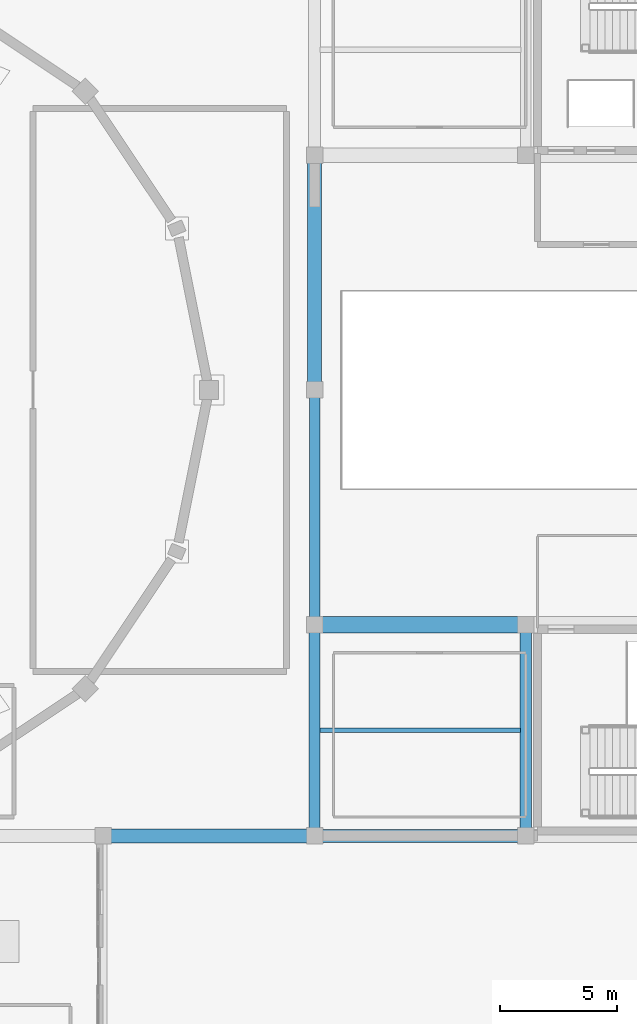
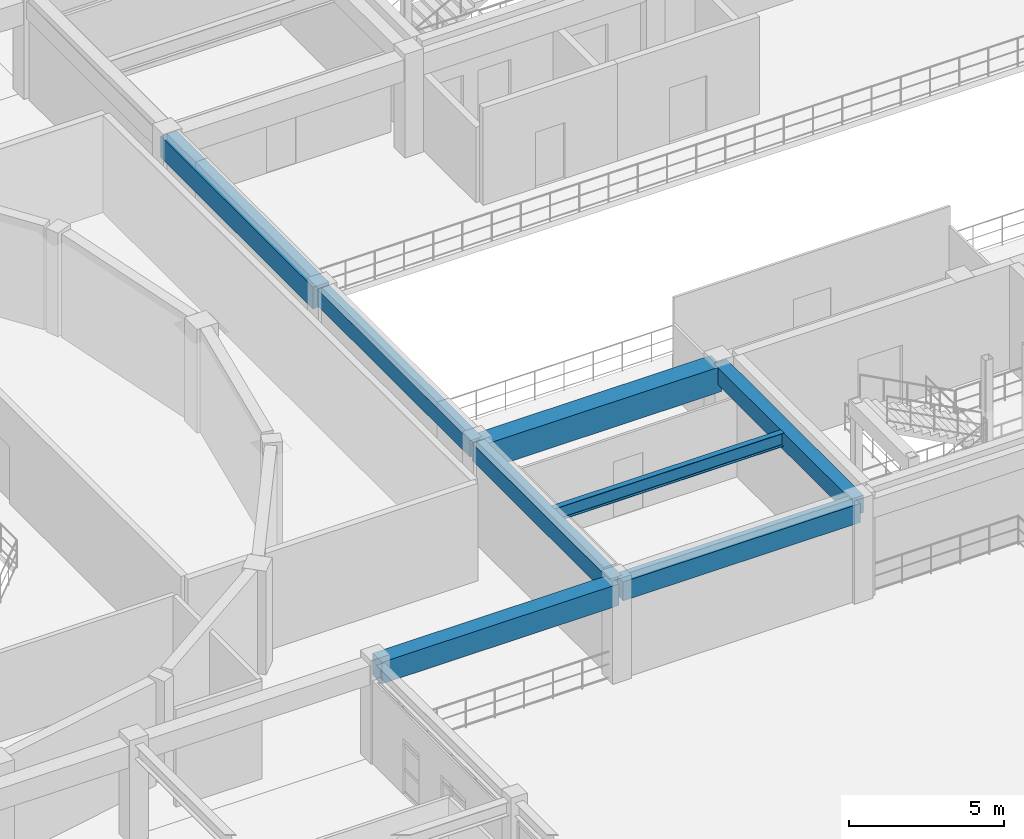
# One storey, part 43 of 110: 8 beams.
"""IFC4 building model written with IfcOpenShell, lengths in metres."""

from ifc_helpers import new_model, si_unit, direction, frame, origin, origin_2d, place, context, subcontext, project, spatial, rectangle, i_section, extrude, material, material_profile, profile_set, type_object, element, save


model = new_model("IFC4")

# Units and contexts
model_context = context("Model", 3, precision=1e-05, world=origin(), true_north=direction((0.0, 1.0)))
body_context = subcontext(model_context, "Body", "Model", "MODEL_VIEW")
ifc_project = project(units=[si_unit("LENGTHUNIT", "METRE"), si_unit("AREAUNIT", "SQUARE_METRE"), si_unit("VOLUMEUNIT", "CUBIC_METRE"), si_unit("PLANEANGLEUNIT", "RADIAN"), si_unit("MASSUNIT", "GRAM", prefix="KILO")], contexts=[model_context])

# Site, building, storey
site_placement = place(None, origin())
site = spatial("IfcSite", under=ifc_project, at=site_placement, CompositionType="ELEMENT")
building_placement = place(site_placement, origin())
building = spatial("IfcBuilding", under=site, at=building_placement, Name="Miravela Opera House", CompositionType="ELEMENT")
storey_placement = place(building_placement, frame((0.0, 0.0, 13.60009765625)))
storey = spatial("IfcBuildingStorey", under=building, at=storey_placement, Name="L03", CompositionType="ELEMENT", Elevation=13.60009765625)

# Beams
ifc_material_1 = material(Name="Concrete C35/45", Category="concrete")
ifc_material_profile_1 = material_profile(ifc_material_1, rectangle(XDim=0.449951171875, YDim=0.64990234375, at=origin_2d()), Name="RC-BM-450X650")
ifc_profile_set_1 = profile_set([ifc_material_profile_1])
beam_type_1 = type_object("IfcBeamType", Name="STR-BM-RC450X650", PredefinedType="BEAM", material=ifc_profile_set_1)
beam_1_placement = place(storey_placement, frame((99.0, 46.080078125, 3.514892578125), z_axis=(0.0, 1.0, 0.0), x_axis=(-1.0, 0.0, 0.0)))
element("IfcBeam", 1, at=beam_1_placement, inside=storey, type_object=beam_type_1, Name="Floor Girder L03 12/F-G", PredefinedType="BEAM", context=body_context, shape_type="SweptSolid", body=[
    extrude(rectangle(XDim=0.449951171875, YDim=0.64990234375, at=origin_2d()), origin(), (0.0, 0.0, 1.0), 9.83984375),
])
ifc_material_profile_2 = material_profile(ifc_material_1, rectangle(XDim=0.47998046875, YDim=0.679931640625, at=origin_2d()), Name="RC-BM-480X680")
ifc_profile_set_2 = profile_set([ifc_material_profile_2])
beam_type_2 = type_object("IfcBeamType", Name="STR-BM-RC480X680", PredefinedType="BEAM", material=ifc_profile_set_2)
for number, where, z_axis, x_axis, name in (
    (2, (99.0, 37.080078125, 3.5), (0.0, 1.0, 0.0), (-1.0, 0.0, 0.0), "Floor Girder L03 12/E-F"),
    (3, (108.0, 37.080078125, 3.5), (0.0, 1.0, 0.0), (-1.0, 0.0, 0.0), "Floor Girder L03 13/E-F"),
):
    element("IfcBeam", number, at=place(storey_placement, frame(where, z_axis=z_axis, x_axis=x_axis)), inside=storey, type_object=beam_type_2, Name=name, PredefinedType="BEAM", context=body_context, shape_type="SweptSolid", body=[
        extrude(rectangle(XDim=0.47998046875, YDim=0.679931640625, at=origin_2d()), origin(), (0.0, 0.0, 1.0), 8.83984375),
    ])
ifc_material_profile_3 = material_profile(ifc_material_1, rectangle(XDim=0.550048828125, YDim=0.75, at=origin_2d()), Name="RC-BM-550X750")
ifc_profile_set_3 = profile_set([ifc_material_profile_3])
beam_type_3 = type_object("IfcBeamType", Name="STR-BM-RC550X750", PredefinedType="BEAM", material=ifc_profile_set_3)
beam_2_placement = place(storey_placement, frame((99.080078125, 37.0, 3.46484375), z_axis=(1.0, 0.0, 0.0), x_axis=(0.0, 1.0, 0.0)))
element("IfcBeam", 4, at=beam_2_placement, inside=storey, type_object=beam_type_3, Name="Floor Girder L03 12-13/E", PredefinedType="BEAM", context=body_context, shape_type="SweptSolid", body=[
    extrude(rectangle(XDim=0.550048828125, YDim=0.75, at=origin_2d()), origin(), (0.0, 0.0, 1.0), 8.83984375),
])
ifc_material_2 = material(Name="Concrete C40/50", Category="concrete")
ifc_material_profile_4 = material_profile(ifc_material_2, rectangle(XDim=0.60009765625, YDim=0.85009765625, at=origin_2d()), Name="RC-BM-600X850")
ifc_profile_set_4 = profile_set([ifc_material_profile_4])
beam_type_4 = type_object("IfcBeamType", Name="STR-BM-RC600X850", PredefinedType="BEAM", material=ifc_profile_set_4)
beam_3_placement = place(storey_placement, frame((90.080078125, 37.0, 3.414794921875), z_axis=(1.0, 0.0, 0.0), x_axis=(0.0, 1.0, 0.0)))
element("IfcBeam", 5, at=beam_3_placement, inside=storey, type_object=beam_type_4, Name="Floor Girder L03 11-12/E", PredefinedType="BEAM", context=body_context, shape_type="SweptSolid", body=[
    extrude(rectangle(XDim=0.60009765625, YDim=0.85009765625, at=origin_2d()), origin(), (0.0, 0.0, 1.0), 8.83984375),
])
beam_4_placement = place(storey_placement, frame((99.0, 56.080078125, 3.414794921875), z_axis=(0.0, 1.0, 0.0), x_axis=(-1.0, 0.0, 0.0)))
element("IfcBeam", 6, at=beam_4_placement, inside=storey, type_object=beam_type_4, Name="Floor Girder L03 12/G-H", PredefinedType="BEAM", context=body_context, shape_type="SweptSolid", body=[
    extrude(rectangle(XDim=0.60009765625, YDim=0.85009765625, at=origin_2d()), origin(), (0.0, 0.0, 1.0), 9.83984375),
])
ifc_material_profile_5 = material_profile(ifc_material_2, rectangle(XDim=0.699951171875, YDim=1.0, at=origin_2d()), Name="RC-BM-700X1000")
ifc_profile_set_5 = profile_set([ifc_material_profile_5])
beam_type_5 = type_object("IfcBeamType", Name="STR-BM-RC700X1000", PredefinedType="BEAM", material=ifc_profile_set_5)
beam_5_placement = place(storey_placement, frame((99.080078125, 46.0, 3.33984375), z_axis=(1.0, 0.0, 0.0), x_axis=(0.0, 1.0, 0.0)))
element("IfcBeam", 7, at=beam_5_placement, inside=storey, type_object=beam_type_5, Name="Floor Girder L03 12-13/F", PredefinedType="BEAM", context=body_context, shape_type="SweptSolid", body=[
    extrude(rectangle(XDim=0.699951171875, YDim=1.0, at=origin_2d()), origin(), (0.0, 0.0, 1.0), 8.83984375),
])
ifc_material_3 = material(Name="Structural steel ASTM A992 Gr. 50", Category="steel")
ifc_material_profile_6 = material_profile(ifc_material_3, i_section(OverallWidth=0.208984375, OverallDepth=0.532958984375, WebThickness=0.01025390625, FlangeThickness=0.015625, FilletRadius=0.014892578125, at=origin_2d()), Name="W530X92")
ifc_profile_set_6 = profile_set([ifc_material_profile_6])
beam_type_6 = type_object("IfcBeamType", Name="STR-BM-W530X92", PredefinedType="BEAM", material=ifc_profile_set_6)
beam_6_placement = place(storey_placement, frame((99.22509765625, 41.5, 3.573486328125), z_axis=(1.0, 0.0, 0.0), x_axis=(0.0, 1.0, 0.0)))
element("IfcBeam", 8, at=beam_6_placement, inside=storey, type_object=beam_type_6, Name="Secondary Floor Joist L03 12-13/E-F", PredefinedType="BEAM", context=body_context, shape_type="SweptSolid", body=[
    extrude(i_section(OverallWidth=0.208984375, OverallDepth=0.532958984375, WebThickness=0.01025390625, FlangeThickness=0.015625, FilletRadius=0.014892578125, at=origin_2d()), origin(), (0.0, 0.0, 1.0), 8.5498046875),
])

save(model, "model.ifc")
